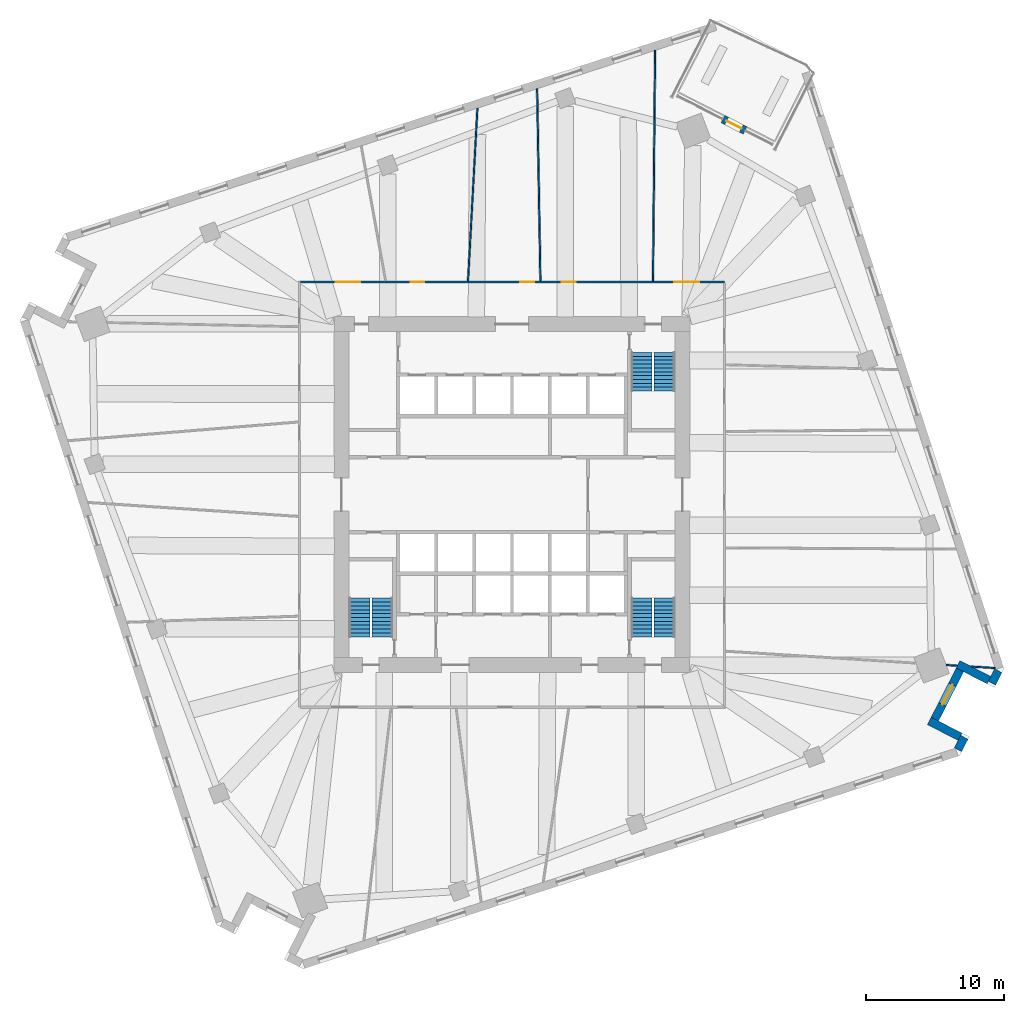
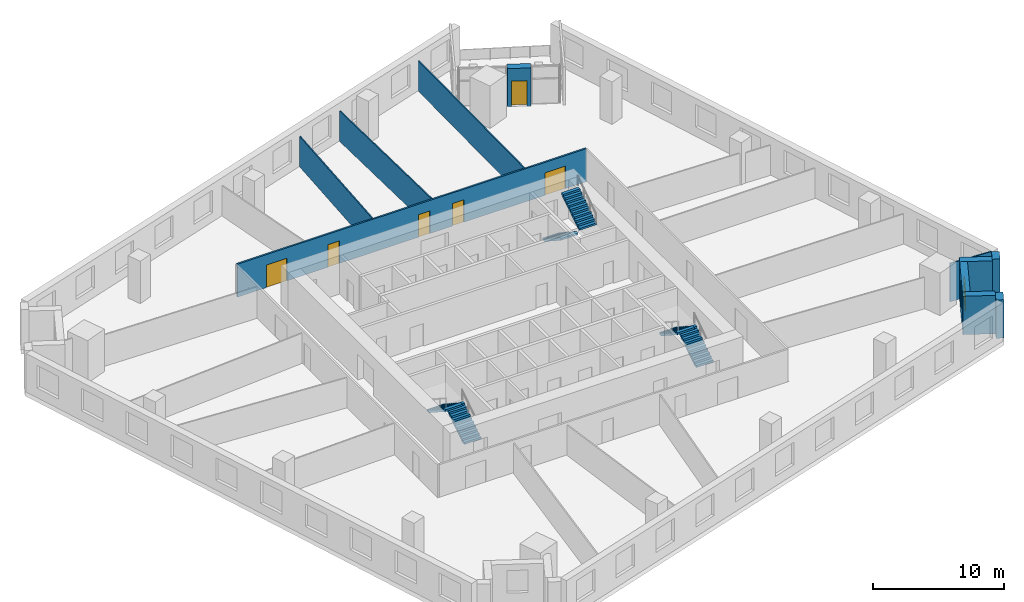
# One storey, part 10 of 12: 12 walls, 6 doors, 6 stair flights, 1 window, 7 openings, 3 elements without a shape of their own.
"""IFC4 building model written with IfcOpenShell, lengths in metres."""

from ifc_helpers import new_model, si_unit, direction, frame, frame_2d, origin, place, context, subcontext, project, spatial, polyline, rectangle, outline, extrude, material, layer, layer_set, type_object, element, fill, aggregate, save


model = new_model("IFC4")

# Units and contexts
model_context = context("Model", 3, precision=1e-05, world=origin(), true_north=direction((0.0, 1.0)))
body_context = subcontext(model_context, "Body", "Model", "MODEL_VIEW")
ifc_project = project(units=[si_unit("LENGTHUNIT", "METRE"), si_unit("AREAUNIT", "SQUARE_METRE"), si_unit("VOLUMEUNIT", "CUBIC_METRE"), si_unit("PLANEANGLEUNIT", "RADIAN"), si_unit("MASSUNIT", "GRAM", prefix="KILO")], contexts=[model_context])

# Site, building, storey
site_placement = place(None, origin())
site = spatial("IfcSite", under=ifc_project, at=site_placement, CompositionType="ELEMENT")
building_placement = place(site_placement, origin())
building = spatial("IfcBuilding", under=site, at=building_placement, Name="Dilmun Exchange Tower", CompositionType="ELEMENT")
storey_placement = place(building_placement, frame((0.0, 0.0, 98.10009765625)))
storey = spatial("IfcBuildingStorey", under=building, at=storey_placement, Name="L22", CompositionType="ELEMENT", Elevation=98.10009765625)

# Wall, openings, doors
ifc_material_1 = material(Name="Corridor wall 150")
ifc_layer_1 = layer(ifc_material_1, 0.14990234375)
ifc_layer_set_1 = layer_set([ifc_layer_1], Name="Corridor wall 150")
wall_type_1 = type_object("IfcWallType", Name="Corridor wall 150", PredefinedType="PARTITIONING", material=ifc_layer_set_1)
wall_1_placement = place(storey_placement, frame((-15.324951171875, 15.39990234375, 0.0), z_axis=(0.0, 0.0, 1.0), x_axis=(1.0, 0.0, 0.0)))
wall_1 = element("IfcWall", 1, at=wall_1_placement, inside=storey, type_object=wall_type_1, Name="Corridor wall", PredefinedType="PARTITIONING", context=body_context, shape_type="SweptSolid", body=[
    extrude(rectangle(XDim=30.724853515625, YDim=0.14990234375, at=frame_2d((15.3623046875, 0.0))), origin(), (0.0, 0.0, 1.0), 3.079833984375),
])
opening_1_placement = place(wall_1_placement, frame((2.550048828125, 0.0, 0.0)))
opening_1 = element("IfcOpeningElement", 2, at=opening_1_placement, cuts=wall_1, Name="Opening TF20-D04", PredefinedType="OPENING", context=body_context, shape_type="SweptSolid", body=[
    extrude(rectangle(XDim=1.800048828125, YDim=2.10009765625, at=frame_2d((0.89990234375, 1.050048828125))), frame((0.0, 0.0849609375, 0.0), z_axis=(0.0, -1.0, 0.0), x_axis=(1.0, 0.0, 0.0)), (0.0, 0.0, 1.0), 0.169921875),
])
opening_2_placement = place(wall_1_placement, frame((7.97998046875, 0.0, 0.0)))
opening_2 = element("IfcOpeningElement", 3, at=opening_2_placement, cuts=wall_1, Name="Opening TF20-D09", PredefinedType="OPENING", context=body_context, shape_type="SweptSolid", body=[
    extrude(rectangle(XDim=1.0, YDim=2.10009765625, at=frame_2d((0.5, 1.050048828125))), frame((0.0, 0.0849609375, 0.0), z_axis=(0.0, -1.0, 0.0), x_axis=(1.0, 0.0, 0.0)), (0.0, 0.0, 1.0), 0.169921875),
])
opening_3_placement = place(wall_1_placement, frame((15.935302734375, 0.0, 0.0)))
opening_3 = element("IfcOpeningElement", 4, at=opening_3_placement, cuts=wall_1, Name="Opening TF20-D10", PredefinedType="OPENING", context=body_context, shape_type="SweptSolid", body=[
    extrude(rectangle(XDim=1.0, YDim=2.10009765625, at=frame_2d((0.5, 1.050048828125))), frame((0.0, 0.0849609375, 0.0), z_axis=(0.0, -1.0, 0.0), x_axis=(1.0, 0.0, 0.0)), (0.0, 0.0, 1.0), 0.169921875),
])
opening_4_placement = place(wall_1_placement, frame((18.93408203125, 0.0, 0.0)))
opening_4 = element("IfcOpeningElement", 5, at=opening_4_placement, cuts=wall_1, Name="Opening TF20-D12", PredefinedType="OPENING", context=body_context, shape_type="SweptSolid", body=[
    extrude(rectangle(XDim=1.0, YDim=2.10009765625, at=frame_2d((0.5, 1.050048828125))), frame((0.0, 0.0849609375, 0.0), z_axis=(0.0, -1.0, 0.0), x_axis=(1.0, 0.0, 0.0)), (0.0, 0.0, 1.0), 0.169921875),
])
opening_5_placement = place(wall_1_placement, frame((27.087646484375, 0.0, 0.0)))
opening_5 = element("IfcOpeningElement", 6, at=opening_5_placement, cuts=wall_1, Name="Opening TF20-D15", PredefinedType="OPENING", context=body_context, shape_type="SweptSolid", body=[
    extrude(rectangle(XDim=1.800048828125, YDim=2.10009765625, at=frame_2d((0.89990234375, 1.050048828125))), frame((0.0, 0.0849609375, 0.0), z_axis=(0.0, -1.0, 0.0), x_axis=(1.0, 0.0, 0.0)), (0.0, 0.0, 1.0), 0.169921875),
])
ifc_material_2 = material(Name="Fire door 1000 x 2100")
door_type_1 = type_object("IfcDoorType", Name="Fire door 1000 x 2100", OperationType="NOTDEFINED", PredefinedType="DOOR", material=ifc_material_2)
door_1_placement = place(opening_2_placement, origin())
door_1 = element("IfcDoor", 7, at=door_1_placement, inside=storey, type_object=door_type_1, Name="Door TF20-D09", OperationType="SINGLE_SWING_LEFT", OverallHeight=2.10009765625, OverallWidth=1.0, PredefinedType="DOOR", context=body_context, shape_type="SweptSolid", body=[
    extrude(rectangle(XDim=1.0, YDim=2.10009765625, at=frame_2d((0.5, 1.050048828125))), frame((0.0, 0.02490234375, 0.0), z_axis=(0.0, -1.0, 0.0), x_axis=(1.0, 0.0, 0.0)), (0.0, 0.0, 1.0), 0.050048828125),
])
fill(opening_2, door_1)
door_2_placement = place(opening_3_placement, origin())
door_2 = element("IfcDoor", 8, at=door_2_placement, inside=storey, type_object=door_type_1, Name="Door TF20-D10", OperationType="SINGLE_SWING_RIGHT", OverallHeight=2.10009765625, OverallWidth=1.0, PredefinedType="DOOR", context=body_context, shape_type="SweptSolid", body=[
    extrude(rectangle(XDim=1.0, YDim=2.10009765625, at=frame_2d((0.5, 1.050048828125))), frame((0.0, 0.02490234375, 0.0), z_axis=(0.0, -1.0, 0.0), x_axis=(1.0, 0.0, 0.0)), (0.0, 0.0, 1.0), 0.050048828125),
])
fill(opening_3, door_2)
door_3_placement = place(opening_4_placement, origin())
door_3 = element("IfcDoor", 9, at=door_3_placement, inside=storey, type_object=door_type_1, Name="Door TF20-D12", OperationType="SINGLE_SWING_LEFT", OverallHeight=2.10009765625, OverallWidth=1.0, PredefinedType="DOOR", context=body_context, shape_type="SweptSolid", body=[
    extrude(rectangle(XDim=1.0, YDim=2.10009765625, at=frame_2d((0.5, 1.050048828125))), frame((0.0, 0.02490234375, 0.0), z_axis=(0.0, -1.0, 0.0), x_axis=(1.0, 0.0, 0.0)), (0.0, 0.0, 1.0), 0.050048828125),
])
fill(opening_4, door_3)
ifc_material_3 = material(Name="Fire door pair 1800 x 2100")
door_type_2 = type_object("IfcDoorType", Name="Fire door pair 1800 x 2100", OperationType="NOTDEFINED", PredefinedType="DOOR", material=ifc_material_3)
door_4_placement = place(opening_1_placement, origin())
door_4 = element("IfcDoor", 10, at=door_4_placement, inside=storey, type_object=door_type_2, Name="Door TF20-D04", OperationType="DOUBLE_DOOR_SINGLE_SWING", OverallHeight=2.10009765625, OverallWidth=1.800048828125, PredefinedType="DOOR", context=body_context, shape_type="SweptSolid", body=[
    extrude(rectangle(XDim=1.800048828125, YDim=2.10009765625, at=frame_2d((0.89990234375, 1.050048828125))), frame((0.0, 0.02490234375, 0.0), z_axis=(0.0, -1.0, 0.0), x_axis=(1.0, 0.0, 0.0)), (0.0, 0.0, 1.0), 0.050048828125),
])
fill(opening_1, door_4)
door_5_placement = place(opening_5_placement, origin())
door_5 = element("IfcDoor", 11, at=door_5_placement, inside=storey, type_object=door_type_2, Name="Door TF20-D15", OperationType="DOUBLE_DOOR_SINGLE_SWING", OverallHeight=2.10009765625, OverallWidth=1.800048828125, PredefinedType="DOOR", context=body_context, shape_type="SweptSolid", body=[
    extrude(rectangle(XDim=1.800048828125, YDim=2.10009765625, at=frame_2d((0.89990234375, 1.050048828125))), frame((0.0, 0.02490234375, 0.0), z_axis=(0.0, -1.0, 0.0), x_axis=(1.0, 0.0, 0.0)), (0.0, 0.0, 1.0), 0.050048828125),
])
fill(opening_5, door_5)

# Walls
ifc_material_4 = material(Name="Partition 100")
ifc_layer_2 = layer(ifc_material_4, 0.10009765625)
ifc_layer_set_2 = layer_set([ifc_layer_2], Name="Partition 100")
wall_type_2 = type_object("IfcWallType", Name="Partition 100", PredefinedType="PARTITIONING", material=ifc_layer_set_2)
wall_2_placement = place(storey_placement, frame((-3.185791015625, 15.477783203125, 0.0), z_axis=(0.0, 0.0, 1.0), x_axis=(0.054322200438, 0.998523459183, 0.0)))
element("IfcWall", 12, at=wall_2_placement, inside=storey, type_object=wall_type_2, Name="Partition", PredefinedType="PARTITIONING", context=body_context, shape_type="SweptSolid", body=[
    extrude(rectangle(XDim=12.53466796875, YDim=0.10009765625, at=frame_2d((6.267333984375, 0.0))), origin(), (0.0, 0.0, 1.0), 2.829833984375),
])
wall_3_placement = place(storey_placement, frame((1.81982421875, 29.3994140625, 0.0), z_axis=(0.0, 0.0, 1.0), x_axis=(0.01714604741, -0.999852995724, 0.0)))
element("IfcWall", 13, at=wall_3_placement, inside=storey, type_object=wall_type_2, Name="Partition", PredefinedType="PARTITIONING", context=body_context, shape_type="SweptSolid", body=[
    extrude(rectangle(XDim=13.925537109375, YDim=0.10009765625, at=frame_2d((6.962890625, 0.0))), origin(), (0.0, 0.0, 1.0), 2.829833984375),
])
wall_4_placement = place(storey_placement, frame((10.213623046875, 15.475341796875, 0.0), z_axis=(0.0, 0.0, 1.0), x_axis=(0.00896123542, 0.999959847324, 0.0)))
element("IfcWall", 14, at=wall_4_placement, inside=storey, type_object=wall_type_2, Name="Partition", PredefinedType="PARTITIONING", context=body_context, shape_type="SweptSolid", body=[
    extrude(rectangle(XDim=16.70068359375, YDim=0.10009765625, at=frame_2d((8.350341796875, 0.0))), origin(), (0.0, 0.0, 1.0), 2.829833984375),
])
wall_5_placement = place(storey_placement, frame((31.451904296875, -12.341552734375, 0.0), z_axis=(0.0, 0.0, 1.0), x_axis=(0.998038567495, -0.062602059006, 0.0)))
element("IfcWall", 15, at=wall_5_placement, inside=storey, type_object=wall_type_2, Name="Partition", PredefinedType="PARTITIONING", context=body_context, shape_type="SweptSolid", body=[
    extrude(rectangle(XDim=0.815185546875, YDim=0.10009765625, at=frame_2d((0.40771484375, 0.0))), origin(), (0.0, 0.0, 1.0), 3.579833984375),
])
wall_6_placement = place(storey_placement, frame((33.294677734375, -12.45703125, 0.0), z_axis=(0.0, 0.0, 1.0), x_axis=(0.998041396796, -0.062556936314, 0.0)))
element("IfcWall", 16, at=wall_6_placement, inside=storey, type_object=wall_type_2, Name="Partition", PredefinedType="PARTITIONING", context=body_context, shape_type="SweptSolid", body=[
    extrude(rectangle(XDim=1.70166015625, YDim=0.10009765625, at=frame_2d((0.850830078125, 0.0))), origin(), (0.0, 0.0, 1.0), 3.579833984375),
])
ifc_material_5 = material(Name="Precast concrete C50/60", Category="concrete")
ifc_layer_3 = layer(ifc_material_5, 0.60009765625)
ifc_layer_set_3 = layer_set([ifc_layer_3], Name="Precast concrete C50/60")
wall_type_3 = type_object("IfcWallType", Name="Precast stone-clad wall 600", PredefinedType="STANDARD", material=ifc_layer_set_3)
wall_7_placement = place(storey_placement, frame((32.308837890625, -18.47900390625, 0.0), z_axis=(0.0, 0.0, 1.0), x_axis=(0.453864300157, 0.89107081483, 0.0)))
element("IfcWall", 17, at=wall_7_placement, inside=storey, type_object=wall_type_3, Name="Facade wall L22-16", PredefinedType="STANDARD", context=body_context, shape_type="SweptSolid", body=[
    extrude(rectangle(XDim=1.01123046875, YDim=0.60009765625, at=frame_2d((0.505615234375, 0.0))), origin(), (0.0, 0.0, 1.0), 3.579833984375),
])
wall_8_placement = place(storey_placement, frame((32.455078125, -17.531005859375, 0.0), z_axis=(0.0, 0.0, 1.0), x_axis=(-0.890982846276, 0.454036967263, 0.0)))
element("IfcWall", 18, at=wall_8_placement, inside=storey, type_object=wall_type_3, Name="Facade wall L22-17", PredefinedType="STANDARD", context=body_context, shape_type="SweptSolid", body=[
    extrude(rectangle(XDim=2.499755859375, YDim=0.60009765625, at=frame_2d((1.25, 0.0))), origin(), (0.0, 0.0, 1.0), 3.579833984375),
])

# Wall, opening, window
wall_9_placement = place(storey_placement, frame((30.631103515625, -16.264892578125, 0.0), z_axis=(0.0, 0.0, 1.0), x_axis=(0.454011719911, 0.890995711653, 0.0)))
wall_9 = element("IfcWall", 19, at=wall_9_placement, inside=storey, type_object=wall_type_3, Name="Facade wall L22-18", PredefinedType="STANDARD", context=body_context, shape_type="SweptSolid", body=[
    extrude(rectangle(XDim=4.000244140625, YDim=0.60009765625, at=frame_2d((2.0, 0.0))), origin(), (0.0, 0.0, 1.0), 3.579833984375),
])
opening_6_placement = place(wall_9_placement, frame((1.199951171875, 0.0, 0.89990234375)))
opening_6 = element("IfcOpeningElement", 20, at=opening_6_placement, cuts=wall_9, Name="Opening W160-210", PredefinedType="OPENING", context=body_context, shape_type="SweptSolid", body=[
    extrude(rectangle(XDim=1.60009765625, YDim=2.10009765625, at=frame_2d((0.800048828125, 1.050048828125))), frame((0.0, 0.31005859375, 0.0), z_axis=(0.0, -1.0, 0.0), x_axis=(1.0, 0.0, 0.0)), (0.0, 0.0, 1.0), 0.6201171875),
])
ifc_material_6 = material(Name="Clear low-emissivity glass in aluminium frame", Category="aluminium")
window_type = type_object("IfcWindowType", Name="Punched window 1600 x 2100", PartitioningType="DOUBLE_PANEL_VERTICAL", PredefinedType="WINDOW", material=ifc_material_6)
window_placement = place(opening_6_placement, origin())
window = element("IfcWindow", 21, at=window_placement, inside=storey, type_object=window_type, Name="Window 19.1", OverallHeight=2.10009765625, OverallWidth=1.60009765625, PartitioningType="SINGLE_PANEL", PredefinedType="WINDOW", context=body_context, shape_type="SweptSolid", body=[
    extrude(rectangle(XDim=1.60009765625, YDim=2.10009765625, at=frame_2d((0.800048828125, 1.050048828125))), frame((0.0, 0.030029296875, 0.0), z_axis=(0.0, -1.0, 0.0), x_axis=(1.0, 0.0, 0.0)), (0.0, 0.0, 1.0), 0.06005859375),
])
fill(opening_6, window)

# Walls
wall_10_placement = place(storey_placement, frame((32.31591796875, -12.29736328125, 0.0), z_axis=(0.0, 0.0, 1.0), x_axis=(0.891023102287, -0.453957961921, 0.0)))
element("IfcWall", 22, at=wall_10_placement, inside=storey, type_object=wall_type_3, Name="Facade wall L22-19", PredefinedType="STANDARD", context=body_context, shape_type="SweptSolid", body=[
    extrude(rectangle(XDim=2.500244140625, YDim=0.60009765625, at=frame_2d((1.25, 0.0))), origin(), (0.0, 0.0, 1.0), 3.579833984375),
])
wall_11_placement = place(storey_placement, frame((34.765380859375, -13.65771484375, 0.0), z_axis=(0.0, 0.0, 1.0), x_axis=(0.454055955632, 0.890973169717, 0.0)))
element("IfcWall", 23, at=wall_11_placement, inside=storey, type_object=wall_type_3, Name="Facade wall L22-20", PredefinedType="STANDARD", context=body_context, shape_type="SweptSolid", body=[
    extrude(rectangle(XDim=1.011474609375, YDim=0.60009765625, at=frame_2d((0.505859375, 0.0))), origin(), (0.0, 0.0, 1.0), 3.579833984375),
])

# Wall, opening, door
wall_12_placement = place(storey_placement, frame((16.884033203125, 26.387451171875, 0.0), z_axis=(0.0, 0.0, 1.0), x_axis=(-0.891010511763, 0.453982673599, 0.0)))
wall_12 = element("IfcWall", 24, at=wall_12_placement, inside=storey, type_object=wall_type_3, Name="Facade wall L22-01-D", PredefinedType="STANDARD", context=body_context, shape_type="SweptSolid", body=[
    extrude(rectangle(XDim=1.800048828125, YDim=0.60009765625, at=frame_2d((0.89990234375, 0.0))), origin(), (0.0, 0.0, 1.0), 3.579833984375),
])
opening_7_placement = place(wall_12_placement, frame((0.300048828125, 0.0, 0.0)))
opening_7 = element("IfcOpeningElement", 25, at=opening_7_placement, cuts=wall_12, Name="Opening GD-1", PredefinedType="OPENING", context=body_context, shape_type="SweptSolid", body=[
    extrude(rectangle(XDim=1.199951171875, YDim=2.39990234375, at=frame_2d((0.60009765625, 1.199951171875))), frame((0.0, 0.31005859375, 0.0), z_axis=(0.0, -1.0, 0.0), x_axis=(1.0, 0.0, 0.0)), (0.0, 0.0, 1.0), 0.6201171875),
])
door_type_3 = type_object("IfcDoorType", Name="Glazed garden door 1200 x 2400", OperationType="SINGLE_SWING_LEFT", PredefinedType="DOOR", material=ifc_material_6)
door_6_placement = place(opening_7_placement, origin())
door_6 = element("IfcDoor", 26, at=door_6_placement, inside=storey, type_object=door_type_3, Name="Garden terrace door", OperationType="SINGLE_SWING_LEFT", OverallHeight=2.39990234375, OverallWidth=1.199951171875, PredefinedType="DOOR", context=body_context, shape_type="SweptSolid", body=[
    extrude(rectangle(XDim=1.199951171875, YDim=2.39990234375, at=frame_2d((0.60009765625, 1.199951171875))), frame((0.0, 0.02490234375, 0.0), z_axis=(0.0, -1.0, 0.0), x_axis=(1.0, 0.0, 0.0)), (0.0, 0.0, 1.0), 0.050048828125),
])
fill(opening_7, door_6)

# Stair, stair flights
ifc_material_7 = material(Name="Concrete C40/50", Category="concrete")
stair_type = type_object("IfcStairType", Name="Exit stair 1500 half-turn", PredefinedType="HALF_TURN_STAIR", material=ifc_material_7)
stair_1_placement = place(storey_placement, origin())
stair_1 = element("IfcStair", 27, at=stair_1_placement, inside=storey, type_object=stair_type, Name="L22 Protected exit stair ST1", PredefinedType="HALF_TURN_STAIR")
stair_flight_type = type_object("IfcStairFlightType", Name="Exit stair flight 1500", PredefinedType="STRAIGHT", material=ifc_material_7)
stair_flight_1_placement = place(storey_placement, frame((9.39990234375, 10.300048828125, 0.0), z_axis=(0.0, 0.0, 1.0), x_axis=(0.0, -1.0, 0.0)))
stair_flight_1 = element("IfcStairFlight", 28, at=stair_flight_1_placement, type_object=stair_flight_type, Name="ST1 flight 1", NumberOfRisers=11, NumberOfTreads=10, PredefinedType="STRAIGHT", RiserHeight=0.181818182, TreadLength=0.28, context=body_context, shape_type="SweptSolid", body=[
    extrude(outline(polyline([(0.0, 0.0), (0.0, 0.181884765625), (0.280029296875, 0.181884765625), (0.280029296875, 0.363525390625), (0.56005859375, 0.363525390625), (0.56005859375, 0.54541015625), (0.840087890625, 0.54541015625), (0.840087890625, 0.727294921875), (1.1201171875, 0.727294921875), (1.1201171875, 0.9091796875), (1.39990234375, 0.9091796875), (1.39990234375, 1.0908203125), (1.679931640625, 1.0908203125), (1.679931640625, 1.272705078125), (1.9599609375, 1.272705078125), (1.9599609375, 1.45458984375), (2.239990234375, 1.45458984375), (2.239990234375, 1.636474609375), (2.52001953125, 1.636474609375), (2.52001953125, 1.818115234375), (2.800048828125, 1.818115234375), (2.800048828125, 2.0), (2.800048828125, 1.639404296875), (0.275146484375, 0.0), (0.0, 0.0)])), frame((0.0, 0.75, 0.0), z_axis=(0.0, -1.0, 0.0), x_axis=(1.0, 0.0, 0.0)), (0.0, 0.0, 1.0), 1.5),
])
stair_flight_2_placement = place(storey_placement, frame((11.050048828125, 7.5, 2.0), z_axis=(0.0, 0.0, 1.0), x_axis=(0.0, 1.0, 0.0)))
stair_flight_2 = element("IfcStairFlight", 29, at=stair_flight_2_placement, type_object=stair_flight_type, Name="ST1 flight 2", NumberOfRisers=11, NumberOfTreads=10, PredefinedType="STRAIGHT", RiserHeight=0.181818182, TreadLength=0.28, context=body_context, shape_type="SweptSolid", body=[
    extrude(outline(polyline([(0.0, 0.0), (0.0, 0.181884765625), (0.280029296875, 0.181884765625), (0.280029296875, 0.363525390625), (0.56005859375, 0.363525390625), (0.56005859375, 0.54541015625), (0.840087890625, 0.54541015625), (0.840087890625, 0.727294921875), (1.1201171875, 0.727294921875), (1.1201171875, 0.9091796875), (1.39990234375, 0.9091796875), (1.39990234375, 1.0908203125), (1.679931640625, 1.0908203125), (1.679931640625, 1.272705078125), (1.9599609375, 1.272705078125), (1.9599609375, 1.45458984375), (2.239990234375, 1.45458984375), (2.239990234375, 1.636474609375), (2.52001953125, 1.636474609375), (2.52001953125, 1.818115234375), (2.800048828125, 1.818115234375), (2.800048828125, 2.0), (2.800048828125, 1.639404296875), (0.275146484375, 0.0), (0.0, 0.0)])), frame((0.0, 0.75, 0.0), z_axis=(0.0, -1.0, 0.0), x_axis=(1.0, 0.0, 0.0)), (0.0, 0.0, 1.0), 1.5),
])
aggregate(stair_1, [stair_flight_1, stair_flight_2])

stair_2_placement = place(storey_placement, origin())
stair_2 = element("IfcStair", 30, at=stair_2_placement, inside=storey, type_object=stair_type, Name="L22 Protected exit stair ST2", PredefinedType="HALF_TURN_STAIR")
stair_flight_3_placement = place(storey_placement, frame((-9.39990234375, -10.300048828125, 0.0), z_axis=(0.0, 0.0, 1.0), x_axis=(0.0, 1.0, 0.0)))
stair_flight_3 = element("IfcStairFlight", 31, at=stair_flight_3_placement, type_object=stair_flight_type, Name="ST2 flight 1", NumberOfRisers=11, NumberOfTreads=10, PredefinedType="STRAIGHT", RiserHeight=0.181818182, TreadLength=0.28, context=body_context, shape_type="SweptSolid", body=[
    extrude(outline(polyline([(0.0, 0.0), (0.0, 0.181884765625), (0.280029296875, 0.181884765625), (0.280029296875, 0.363525390625), (0.56005859375, 0.363525390625), (0.56005859375, 0.54541015625), (0.840087890625, 0.54541015625), (0.840087890625, 0.727294921875), (1.1201171875, 0.727294921875), (1.1201171875, 0.9091796875), (1.39990234375, 0.9091796875), (1.39990234375, 1.0908203125), (1.679931640625, 1.0908203125), (1.679931640625, 1.272705078125), (1.9599609375, 1.272705078125), (1.9599609375, 1.45458984375), (2.239990234375, 1.45458984375), (2.239990234375, 1.636474609375), (2.52001953125, 1.636474609375), (2.52001953125, 1.818115234375), (2.800048828125, 1.818115234375), (2.800048828125, 2.0), (2.800048828125, 1.639404296875), (0.275146484375, 0.0), (0.0, 0.0)])), frame((0.0, 0.75, 0.0), z_axis=(0.0, -1.0, 0.0), x_axis=(1.0, 0.0, 0.0)), (0.0, 0.0, 1.0), 1.5),
])
stair_flight_4_placement = place(storey_placement, frame((-11.050048828125, -7.5, 2.0), z_axis=(0.0, 0.0, 1.0), x_axis=(0.0, -1.0, 0.0)))
stair_flight_4 = element("IfcStairFlight", 32, at=stair_flight_4_placement, type_object=stair_flight_type, Name="ST2 flight 2", NumberOfRisers=11, NumberOfTreads=10, PredefinedType="STRAIGHT", RiserHeight=0.181818182, TreadLength=0.28, context=body_context, shape_type="SweptSolid", body=[
    extrude(outline(polyline([(0.0, 0.0), (0.0, 0.181884765625), (0.280029296875, 0.181884765625), (0.280029296875, 0.363525390625), (0.56005859375, 0.363525390625), (0.56005859375, 0.54541015625), (0.840087890625, 0.54541015625), (0.840087890625, 0.727294921875), (1.1201171875, 0.727294921875), (1.1201171875, 0.9091796875), (1.39990234375, 0.9091796875), (1.39990234375, 1.0908203125), (1.679931640625, 1.0908203125), (1.679931640625, 1.272705078125), (1.9599609375, 1.272705078125), (1.9599609375, 1.45458984375), (2.239990234375, 1.45458984375), (2.239990234375, 1.636474609375), (2.52001953125, 1.636474609375), (2.52001953125, 1.818115234375), (2.800048828125, 1.818115234375), (2.800048828125, 2.0), (2.800048828125, 1.639404296875), (0.275146484375, 0.0), (0.0, 0.0)])), frame((0.0, 0.75, 0.0), z_axis=(0.0, -1.0, 0.0), x_axis=(1.0, 0.0, 0.0)), (0.0, 0.0, 1.0), 1.5),
])
aggregate(stair_2, [stair_flight_3, stair_flight_4])

stair_3_placement = place(storey_placement, origin())
stair_3 = element("IfcStair", 33, at=stair_3_placement, inside=storey, type_object=stair_type, Name="L22 Protected exit stair ST3", PredefinedType="HALF_TURN_STAIR")
stair_flight_5_placement = place(storey_placement, frame((11.050048828125, -10.300048828125, 0.0), z_axis=(0.0, 0.0, 1.0), x_axis=(0.0, 1.0, 0.0)))
stair_flight_5 = element("IfcStairFlight", 34, at=stair_flight_5_placement, type_object=stair_flight_type, Name="ST3 flight 1", NumberOfRisers=11, NumberOfTreads=10, PredefinedType="STRAIGHT", RiserHeight=0.181818182, TreadLength=0.28, context=body_context, shape_type="SweptSolid", body=[
    extrude(outline(polyline([(0.0, 0.0), (0.0, 0.181884765625), (0.280029296875, 0.181884765625), (0.280029296875, 0.363525390625), (0.56005859375, 0.363525390625), (0.56005859375, 0.54541015625), (0.840087890625, 0.54541015625), (0.840087890625, 0.727294921875), (1.1201171875, 0.727294921875), (1.1201171875, 0.9091796875), (1.39990234375, 0.9091796875), (1.39990234375, 1.0908203125), (1.679931640625, 1.0908203125), (1.679931640625, 1.272705078125), (1.9599609375, 1.272705078125), (1.9599609375, 1.45458984375), (2.239990234375, 1.45458984375), (2.239990234375, 1.636474609375), (2.52001953125, 1.636474609375), (2.52001953125, 1.818115234375), (2.800048828125, 1.818115234375), (2.800048828125, 2.0), (2.800048828125, 1.639404296875), (0.275146484375, 0.0), (0.0, 0.0)])), frame((0.0, 0.75, 0.0), z_axis=(0.0, -1.0, 0.0), x_axis=(1.0, 0.0, 0.0)), (0.0, 0.0, 1.0), 1.5),
])
stair_flight_6_placement = place(storey_placement, frame((9.39990234375, -7.5, 2.0), z_axis=(0.0, 0.0, 1.0), x_axis=(0.0, -1.0, 0.0)))
stair_flight_6 = element("IfcStairFlight", 35, at=stair_flight_6_placement, type_object=stair_flight_type, Name="ST3 flight 2", NumberOfRisers=11, NumberOfTreads=10, PredefinedType="STRAIGHT", RiserHeight=0.181818182, TreadLength=0.28, context=body_context, shape_type="SweptSolid", body=[
    extrude(outline(polyline([(0.0, 0.0), (0.0, 0.181884765625), (0.280029296875, 0.181884765625), (0.280029296875, 0.363525390625), (0.56005859375, 0.363525390625), (0.56005859375, 0.54541015625), (0.840087890625, 0.54541015625), (0.840087890625, 0.727294921875), (1.1201171875, 0.727294921875), (1.1201171875, 0.9091796875), (1.39990234375, 0.9091796875), (1.39990234375, 1.0908203125), (1.679931640625, 1.0908203125), (1.679931640625, 1.272705078125), (1.9599609375, 1.272705078125), (1.9599609375, 1.45458984375), (2.239990234375, 1.45458984375), (2.239990234375, 1.636474609375), (2.52001953125, 1.636474609375), (2.52001953125, 1.818115234375), (2.800048828125, 1.818115234375), (2.800048828125, 2.0), (2.800048828125, 1.639404296875), (0.275146484375, 0.0), (0.0, 0.0)])), frame((0.0, 0.75, 0.0), z_axis=(0.0, -1.0, 0.0), x_axis=(1.0, 0.0, 0.0)), (0.0, 0.0, 1.0), 1.5),
])
aggregate(stair_3, [stair_flight_5, stair_flight_6])

save(model, "model.ifc")
